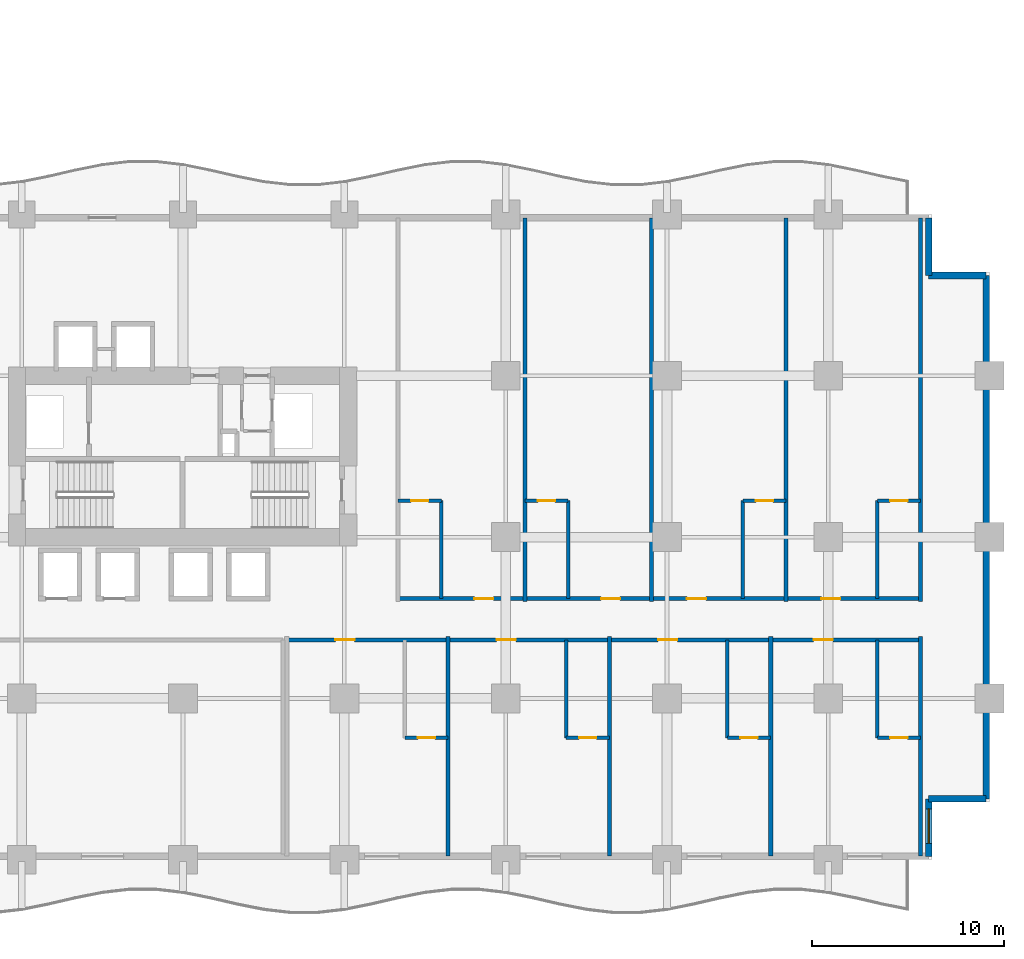
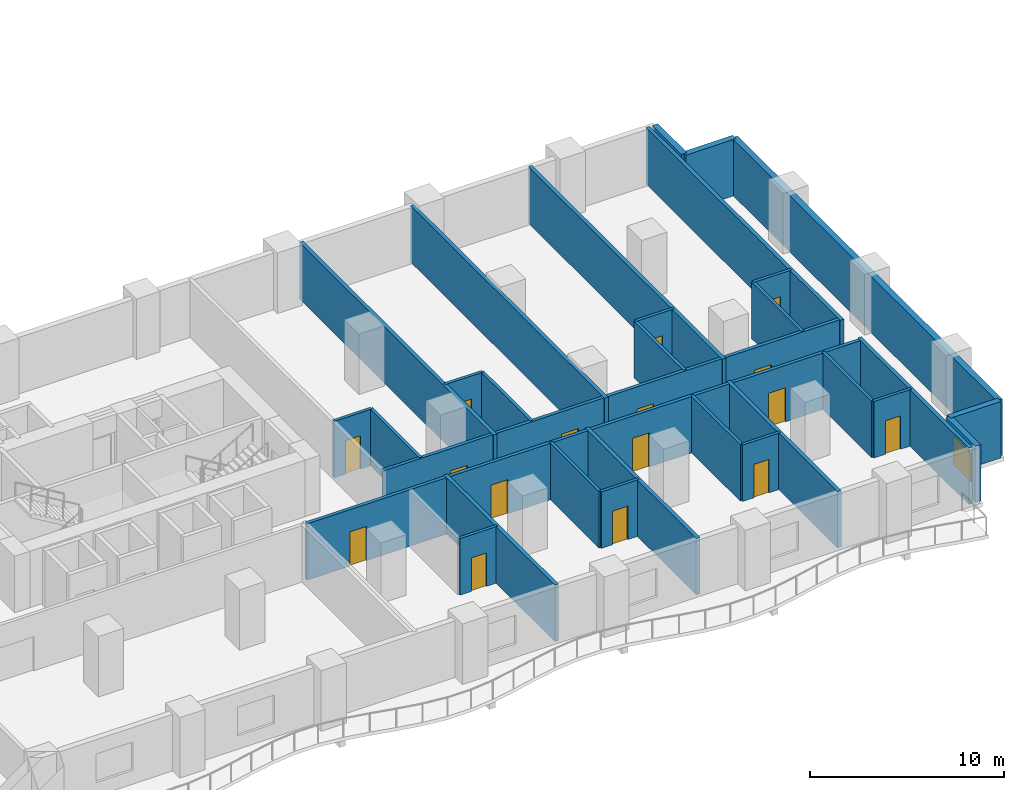
# One storey, part 10 of 18: 30 walls, 16 doors, 1 window, 17 openings.
"""IFC4 building model written with IfcOpenShell, lengths in metres."""

import ifcopenshell
import ifcopenshell.guid

model = None  # the IFC model being written
_history = None  # IfcOwnerHistory: only IFC2X3 demands one
_inside = {}  # id of a spatial element -> (the spatial element, [elements in it])
_under = {}  # id of a project, library or spatial element -> (it, [spatial elements below it])
_declared = {}  # id of a project -> (the project, [libraries it declares])
_typed = {}  # id of a type object -> (the type object, [elements of that type])
_made_of = {}  # id of a material, layer set ... -> (it, [elements and type objects made of it])


def new_model(schema):
    """Start an empty IFC model of exactly this schema.

    Asked for "IFC4X3", IfcOpenShell would pick the latest addendum, in which some entities
    have other attributes; the version numbers below select the first issue.
    IFC2X3 requires an IfcOwnerHistory on every rooted entity: one is made here for all.
    """
    global model, _history
    if schema == "IFC4X3":
        model = ifcopenshell.file(schema_version=(4, 3, 0, 0))
    else:
        model = ifcopenshell.file(schema=schema)
    _inside.clear()
    _under.clear()
    _declared.clear()
    _typed.clear()
    _made_of.clear()
    _history = None
    if model.schema == "IFC2X3":
        org = make("IfcOrganization", Name="unknown")
        user = make(
            "IfcPersonAndOrganization",
            ThePerson=make("IfcPerson", FamilyName="unknown"),
            TheOrganization=org,
        )
        app = make(
            "IfcApplication",
            ApplicationDeveloper=org,
            Version="unknown",
            ApplicationFullName="unknown",
            ApplicationIdentifier="unknown",
        )
        _history = make(
            "IfcOwnerHistory",
            OwningUser=user,
            OwningApplication=app,
            ChangeAction="ADDED",
            CreationDate=0,
        )
    return model


def make(cls, **values):
    """One entity of the class cls with the attributes given. An attribute that is None is left unset."""
    return model.create_entity(
        cls, **{name: value for name, value in values.items() if value is not None}
    )


def rooted(cls, **values):
    """An entity with a GlobalId (a new one), such as an element, a storey or a relation."""
    return make(cls, GlobalId=ifcopenshell.guid.new(), OwnerHistory=_history, **values)


def si_unit(unit_type, name, prefix=None):
    """IfcSIUnit, for example si_unit("LENGTHUNIT", "METRE", prefix="MILLI")."""
    return make("IfcSIUnit", UnitType=unit_type, Prefix=prefix, Name=name)


def assignment(units):
    """IfcUnitAssignment: the units of a project."""
    return None if units is None else make("IfcUnitAssignment", Units=units)


def point(xyz):
    """IfcCartesianPoint."""
    return None if xyz is None else make("IfcCartesianPoint", Coordinates=xyz)


def direction(xyz):
    """IfcDirection."""
    return None if xyz is None else make("IfcDirection", DirectionRatios=xyz)


def frame(location, z_axis=None, x_axis=None):
    """IfcAxis2Placement3D, a coordinate frame: its origin and axes. An axis left out is left unset."""
    return make(
        "IfcAxis2Placement3D",
        Location=point(location),
        Axis=direction(z_axis),
        RefDirection=direction(x_axis),
    )


def frame_2d(location, x_axis=None):
    """IfcAxis2Placement2D, a coordinate frame in the plane: its origin and x axis."""
    return make(
        "IfcAxis2Placement2D", Location=point(location), RefDirection=direction(x_axis)
    )


def origin():
    """The frame at (0, 0, 0) with its axes left unset."""
    return frame((0.0, 0.0, 0.0))


def place(relative_to, where):
    """IfcLocalPlacement: puts the frame where relative to a parent placement (None: the world)."""
    return make(
        "IfcLocalPlacement", PlacementRelTo=relative_to, RelativePlacement=where
    )


def context(
    kind, dimensions, precision=None, world=None, true_north=None, identifier=None
):
    """IfcGeometricRepresentationContext, for example the 3D "Model" context."""
    return make(
        "IfcGeometricRepresentationContext",
        ContextIdentifier=identifier,
        ContextType=kind,
        CoordinateSpaceDimension=dimensions,
        Precision=precision,
        WorldCoordinateSystem=world,
        TrueNorth=true_north,
    )


def subcontext(parent, identifier, kind, view, scale=None):
    """IfcGeometricRepresentationSubContext, for example "Body" below "Model"."""
    return make(
        "IfcGeometricRepresentationSubContext",
        ContextIdentifier=identifier,
        ContextType=kind,
        ParentContext=parent,
        TargetScale=scale,
        TargetView=view,
    )


def project(units=None, contexts=None):
    """IfcProject with its units and contexts."""
    return rooted(
        "IfcProject",
        Name="project",
        RepresentationContexts=contexts,
        UnitsInContext=assignment(units),
    )


def spatial(cls, under=None, at=None, **own):
    """A site, building, storey or space (cls), placed at a placement, below another one or the project."""
    s = rooted(cls, ObjectPlacement=at, **own)
    if under is not None:
        _under.setdefault(under.id(), (under, []))[1].append(s)
    return s


def profile(cls, at=None, kind="AREA", **sizes):
    """A parametric profile (cls). Its sizes go by their IFC names, for example OverallWidth=200.0."""
    return make(cls, ProfileType=kind, Position=at, **sizes)


def rectangle(**sizes):
    """IfcRectangleProfileDef."""
    return profile("IfcRectangleProfileDef", **sizes)


def extrude(swept, where, along, depth):
    """IfcExtrudedAreaSolid: the profile swept, set in the frame where, extruded along a direction by depth."""
    return make(
        "IfcExtrudedAreaSolid",
        SweptArea=swept,
        Position=where,
        ExtrudedDirection=direction(along),
        Depth=depth,
    )


def shape(context_of_items, identifier, shape_type, items):
    """IfcShapeRepresentation: the items that make up one representation, for example the "Body"."""
    return make(
        "IfcShapeRepresentation",
        ContextOfItems=context_of_items,
        RepresentationIdentifier=identifier,
        RepresentationType=shape_type,
        Items=items,
    )


def material(Name=None, Category=None):
    """IfcMaterial."""
    return make("IfcMaterial", Name=Name, Category=Category)


def layer(
    of_material, thickness, ventilated=None, Name=None, Category=None, Priority=None
):
    """IfcMaterialLayer: one layer of a wall or slab, of a material (None: an air gap)."""
    return make(
        "IfcMaterialLayer",
        Material=of_material,
        LayerThickness=thickness,
        IsVentilated=ventilated,
        Name=Name,
        Category=Category,
        Priority=Priority,
    )


def layer_set(layers, Name=None):
    """IfcMaterialLayerSet."""
    return make("IfcMaterialLayerSet", MaterialLayers=layers, LayerSetName=Name)


def made_of(thing, what):
    """Note that an element or type object is made of a material, layer set ...; save() writes the relation."""
    if what is not None:
        _made_of.setdefault(what.id(), (what, []))[1].append(thing)
    return thing


def type_object(cls, material=None, **own):
    """A type object (cls), such as IfcWallType, which elements share."""
    return made_of(rooted(cls, **own), material)


def element(
    cls,
    number,
    at=None,
    inside=None,
    cuts=None,
    type_object=None,
    material=None,
    context=None,
    identifier="Body",
    shape_type=None,
    held_by="IfcProductDefinitionShape",
    body=None,
    shapes=None,
    **own,
):
    """One element of the class cls, such as IfcWall. Its Tag is "e" and its number.

    at: its placement. inside: the storey or other place that contains it. cuts: it is an
    opening in that element (IfcRelVoidsElement). A single representation is given by context,
    identifier, shape_type and body (its items); several are given by shapes. held_by: the class
    of the entity that holds the representations. save() writes the other relations.
    """
    e = rooted(cls, Tag="e%d" % number, ObjectPlacement=at, **own)
    if body is not None:
        shapes = [shape(context, identifier, shape_type, body)]
    if shapes is not None:
        e.Representation = make(held_by, Representations=shapes)
    if inside is not None:
        _inside.setdefault(inside.id(), (inside, []))[1].append(e)
    if cuts is not None:
        rooted(
            "IfcRelVoidsElement", RelatingBuildingElement=cuts, RelatedOpeningElement=e
        )
    if type_object is not None:
        _typed.setdefault(type_object.id(), (type_object, []))[1].append(e)
    return made_of(e, material)


def fill(opening, filler):
    """IfcRelFillsElement: the door or window that sits in an opening."""
    return rooted(
        "IfcRelFillsElement",
        RelatingOpeningElement=opening,
        RelatedBuildingElement=filler,
    )


def aggregate(whole, parts):
    """IfcRelAggregates: a whole, such as a stair, and the parts it consists of."""
    return rooted("IfcRelAggregates", RelatingObject=whole, RelatedObjects=parts)


def save(model, path):
    """Write the relations noted so far, then the file.

    IfcRelAggregates (storeys below a building ...), IfcRelContainedInSpatialStructure (elements
    in a storey), IfcRelDefinesByType, IfcRelAssociatesMaterial and IfcRelDeclares: one each for
    every whole, place, type object, material and project.
    """
    for whole, parts in _under.values():
        aggregate(whole, parts)
    for where, things in _inside.values():
        rooted(
            "IfcRelContainedInSpatialStructure",
            RelatedElements=things,
            RelatingStructure=where,
        )
    for kind, things in _typed.values():
        rooted("IfcRelDefinesByType", RelatedObjects=things, RelatingType=kind)
    for what, things in _made_of.values():
        rooted("IfcRelAssociatesMaterial", RelatedObjects=things, RelatingMaterial=what)
    for by, libraries in _declared.values():
        rooted("IfcRelDeclares", RelatingContext=by, RelatedDefinitions=libraries)
    model.write(path)


model = new_model("IFC4")

# Units and contexts
model_context = context("Model", 3, precision=1e-05, world=origin(), true_north=direction((0.0, 1.0)))
body_context = subcontext(model_context, "Body", "Model", "MODEL_VIEW")
ifc_project = project(units=[si_unit("LENGTHUNIT", "METRE"), si_unit("AREAUNIT", "SQUARE_METRE"), si_unit("VOLUMEUNIT", "CUBIC_METRE"), si_unit("PLANEANGLEUNIT", "RADIAN"), si_unit("MASSUNIT", "GRAM", prefix="KILO")], contexts=[model_context])

# Site, building, storey
site_placement = place(None, origin())
site = spatial("IfcSite", under=ifc_project, at=site_placement, CompositionType="ELEMENT")
building_placement = place(site_placement, origin())
building = spatial("IfcBuilding", under=site, at=building_placement, Name="Koriwani Terraces Tower", CompositionType="ELEMENT")
storey_placement = place(building_placement, frame((0.0, 0.0, 81.39990234375)))
storey = spatial("IfcBuildingStorey", under=building, at=storey_placement, Name="L19", CompositionType="ELEMENT", Elevation=81.39990234375)

# Wall, openings, doors
ifc_material_1 = material(Name="Autoclaved Cellular Concrete Blockwork", Category="masonry")
ifc_layer_1 = layer(ifc_material_1, 0.199951171875, Name="Autoclaved Cellular Concrete Blockwork")
ifc_layer_set_1 = layer_set([ifc_layer_1], Name="Autoclaved Cellular Concrete Blockwork")
wall_type_1 = type_object("IfcWallType", Name="WALL_CORRIDOR_200", PredefinedType="PARTITIONING", material=ifc_layer_set_1)
wall_1_placement = place(storey_placement, frame((55.800048828125, 11.449951171875, 0.0), z_axis=(0.0, 0.0, 1.0), x_axis=(1.0, 0.0, 0.0)))
wall_1 = element("IfcWall", 1, at=wall_1_placement, inside=storey, type_object=wall_type_1, Name="L19 Interior Wall WCOR-L19-SW-0", PredefinedType="PARTITIONING", context=body_context, shape_type="SweptSolid", body=[
    extrude(rectangle(XDim=33.0, YDim=0.199951171875, at=frame_2d((16.5, 0.0))), origin(), (0.0, 0.0, 1.0), 3.550048828125),
])
opening_1_placement = place(wall_1_placement, frame((2.534912109375, 0.0, 0.0)))
opening_1 = element("IfcOpeningElement", 2, at=opening_1_placement, cuts=wall_1, Name="Opening D-05", PredefinedType="OPENING", context=body_context, shape_type="SweptSolid", body=[
    extrude(rectangle(XDim=1.0, YDim=2.14990234375, at=frame_2d((0.5, 1.074951171875))), frame((0.0, 0.10986328125, 0.0), z_axis=(0.0, -1.0, 0.0), x_axis=(1.0, 0.0, 0.0)), (0.0, 0.0, 1.0), 0.219970703125),
])
opening_2_placement = place(wall_1_placement, frame((10.93505859375, 0.0, 0.0)))
opening_2 = element("IfcOpeningElement", 3, at=opening_2_placement, cuts=wall_1, Name="Opening D-05", PredefinedType="OPENING", context=body_context, shape_type="SweptSolid", body=[
    extrude(rectangle(XDim=1.0, YDim=2.14990234375, at=frame_2d((0.5, 1.074951171875))), frame((0.0, 0.10986328125, 0.0), z_axis=(0.0, -1.0, 0.0), x_axis=(1.0, 0.0, 0.0)), (0.0, 0.0, 1.0), 0.219970703125),
])
opening_3_placement = place(wall_1_placement, frame((19.3349609375, 0.0, 0.0)))
opening_3 = element("IfcOpeningElement", 4, at=opening_3_placement, cuts=wall_1, Name="Opening D-05", PredefinedType="OPENING", context=body_context, shape_type="SweptSolid", body=[
    extrude(rectangle(XDim=1.0, YDim=2.14990234375, at=frame_2d((0.5, 1.074951171875))), frame((0.0, 0.10986328125, 0.0), z_axis=(0.0, -1.0, 0.0), x_axis=(1.0, 0.0, 0.0)), (0.0, 0.0, 1.0), 0.219970703125),
])
opening_4_placement = place(wall_1_placement, frame((27.43505859375, 0.0, 0.0)))
opening_4 = element("IfcOpeningElement", 5, at=opening_4_placement, cuts=wall_1, Name="Opening D-05", PredefinedType="OPENING", context=body_context, shape_type="SweptSolid", body=[
    extrude(rectangle(XDim=1.0, YDim=2.14990234375, at=frame_2d((0.5, 1.074951171875))), frame((0.0, 0.10986328125, 0.0), z_axis=(0.0, -1.0, 0.0), x_axis=(1.0, 0.0, 0.0)), (0.0, 0.0, 1.0), 0.219970703125),
])
ifc_material_2 = material(Name="Architectural Oak Fire Door", Category="wood")
door_type_1 = type_object("IfcDoorType", Name="DOOR_SUITE_ENTRY_1000X2150", OperationType="NOTDEFINED", PredefinedType="DOOR", material=ifc_material_2)
door_1_placement = place(opening_1_placement, origin())
door_1 = element("IfcDoor", 6, at=door_1_placement, inside=storey, type_object=door_type_1, Name="Luxury Hotel Suite 19SW1 Entrance Door", OperationType="SINGLE_SWING_LEFT", OverallHeight=2.14990234375, OverallWidth=1.0, PredefinedType="DOOR", context=body_context, shape_type="SweptSolid", body=[
    extrude(rectangle(XDim=1.0, YDim=2.14990234375, at=frame_2d((0.5, 1.074951171875))), frame((0.0, 0.02490234375, 0.0), z_axis=(0.0, -1.0, 0.0), x_axis=(1.0, 0.0, 0.0)), (0.0, 0.0, 1.0), 0.050048828125),
])
fill(opening_1, door_1)
door_2_placement = place(opening_2_placement, origin())
door_2 = element("IfcDoor", 7, at=door_2_placement, inside=storey, type_object=door_type_1, Name="Luxury Hotel Suite 19SW2 Entrance Door", OperationType="SINGLE_SWING_LEFT", OverallHeight=2.14990234375, OverallWidth=1.0, PredefinedType="DOOR", context=body_context, shape_type="SweptSolid", body=[
    extrude(rectangle(XDim=1.0, YDim=2.14990234375, at=frame_2d((0.5, 1.074951171875))), frame((0.0, 0.02490234375, 0.0), z_axis=(0.0, -1.0, 0.0), x_axis=(1.0, 0.0, 0.0)), (0.0, 0.0, 1.0), 0.050048828125),
])
fill(opening_2, door_2)
door_3_placement = place(opening_3_placement, origin())
door_3 = element("IfcDoor", 8, at=door_3_placement, inside=storey, type_object=door_type_1, Name="Luxury Hotel Suite 19SW3 Entrance Door", OperationType="SINGLE_SWING_LEFT", OverallHeight=2.14990234375, OverallWidth=1.0, PredefinedType="DOOR", context=body_context, shape_type="SweptSolid", body=[
    extrude(rectangle(XDim=1.0, YDim=2.14990234375, at=frame_2d((0.5, 1.074951171875))), frame((0.0, 0.02490234375, 0.0), z_axis=(0.0, -1.0, 0.0), x_axis=(1.0, 0.0, 0.0)), (0.0, 0.0, 1.0), 0.050048828125),
])
fill(opening_3, door_3)
door_4_placement = place(opening_4_placement, origin())
door_4 = element("IfcDoor", 9, at=door_4_placement, inside=storey, type_object=door_type_1, Name="Luxury Hotel Suite 19SW4 Entrance Door", OperationType="SINGLE_SWING_LEFT", OverallHeight=2.14990234375, OverallWidth=1.0, PredefinedType="DOOR", context=body_context, shape_type="SweptSolid", body=[
    extrude(rectangle(XDim=1.0, YDim=2.14990234375, at=frame_2d((0.5, 1.074951171875))), frame((0.0, 0.02490234375, 0.0), z_axis=(0.0, -1.0, 0.0), x_axis=(1.0, 0.0, 0.0)), (0.0, 0.0, 1.0), 0.050048828125),
])
fill(opening_4, door_4)

wall_2_placement = place(storey_placement, frame((61.60009765625, 13.60009765625, 0.0), z_axis=(0.0, 0.0, 1.0), x_axis=(1.0, 0.0, 0.0)))
wall_2 = element("IfcWall", 10, at=wall_2_placement, inside=storey, type_object=wall_type_1, Name="L19 Interior Wall WCOR-L19-SE-0", PredefinedType="PARTITIONING", context=body_context, shape_type="SweptSolid", body=[
    extrude(rectangle(XDim=27.199951171875, YDim=0.199951171875, at=frame_2d((13.60009765625, 0.0))), origin(), (0.0, 0.0, 1.0), 3.550048828125),
])
opening_5_placement = place(wall_2_placement, frame((3.965087890625, 0.0, 0.0)))
opening_5 = element("IfcOpeningElement", 11, at=opening_5_placement, cuts=wall_2, Name="Opening D-05", PredefinedType="OPENING", context=body_context, shape_type="SweptSolid", body=[
    extrude(rectangle(XDim=1.0, YDim=2.14990234375, at=frame_2d((0.5, 1.074951171875))), frame((0.0, 0.10986328125, 0.0), z_axis=(0.0, -1.0, 0.0), x_axis=(1.0, 0.0, 0.0)), (0.0, 0.0, 1.0), 0.219970703125),
])
opening_6_placement = place(wall_2_placement, frame((10.56494140625, 0.0, 0.0)))
opening_6 = element("IfcOpeningElement", 12, at=opening_6_placement, cuts=wall_2, Name="Opening D-05", PredefinedType="OPENING", context=body_context, shape_type="SweptSolid", body=[
    extrude(rectangle(XDim=1.0, YDim=2.14990234375, at=frame_2d((0.5, 1.074951171875))), frame((0.0, 0.10986328125, 0.0), z_axis=(0.0, -1.0, 0.0), x_axis=(1.0, 0.0, 0.0)), (0.0, 0.0, 1.0), 0.219970703125),
])
opening_7_placement = place(wall_2_placement, frame((15.034912109375, 0.0, 0.0)))
opening_7 = element("IfcOpeningElement", 13, at=opening_7_placement, cuts=wall_2, Name="Opening D-05", PredefinedType="OPENING", context=body_context, shape_type="SweptSolid", body=[
    extrude(rectangle(XDim=1.0, YDim=2.14990234375, at=frame_2d((0.5, 1.074951171875))), frame((0.0, 0.10986328125, 0.0), z_axis=(0.0, -1.0, 0.0), x_axis=(1.0, 0.0, 0.0)), (0.0, 0.0, 1.0), 0.219970703125),
])
opening_8_placement = place(wall_2_placement, frame((22.034912109375, 0.0, 0.0)))
opening_8 = element("IfcOpeningElement", 14, at=opening_8_placement, cuts=wall_2, Name="Opening D-05", PredefinedType="OPENING", context=body_context, shape_type="SweptSolid", body=[
    extrude(rectangle(XDim=1.0, YDim=2.14990234375, at=frame_2d((0.5, 1.074951171875))), frame((0.0, 0.10986328125, 0.0), z_axis=(0.0, -1.0, 0.0), x_axis=(1.0, 0.0, 0.0)), (0.0, 0.0, 1.0), 0.219970703125),
])
door_5_placement = place(opening_5_placement, origin())
door_5 = element("IfcDoor", 15, at=door_5_placement, inside=storey, type_object=door_type_1, Name="Luxury Hotel Suite 19SE1 Entrance Door", OperationType="SINGLE_SWING_LEFT", OverallHeight=2.14990234375, OverallWidth=1.0, PredefinedType="DOOR", context=body_context, shape_type="SweptSolid", body=[
    extrude(rectangle(XDim=1.0, YDim=2.14990234375, at=frame_2d((0.5, 1.074951171875))), frame((0.0, 0.02490234375, 0.0), z_axis=(0.0, -1.0, 0.0), x_axis=(1.0, 0.0, 0.0)), (0.0, 0.0, 1.0), 0.050048828125),
])
fill(opening_5, door_5)
door_6_placement = place(opening_6_placement, origin())
door_6 = element("IfcDoor", 16, at=door_6_placement, inside=storey, type_object=door_type_1, Name="Luxury Hotel Suite 19SE2 Entrance Door", OperationType="SINGLE_SWING_LEFT", OverallHeight=2.14990234375, OverallWidth=1.0, PredefinedType="DOOR", context=body_context, shape_type="SweptSolid", body=[
    extrude(rectangle(XDim=1.0, YDim=2.14990234375, at=frame_2d((0.5, 1.074951171875))), frame((0.0, 0.02490234375, 0.0), z_axis=(0.0, -1.0, 0.0), x_axis=(1.0, 0.0, 0.0)), (0.0, 0.0, 1.0), 0.050048828125),
])
fill(opening_6, door_6)
door_7_placement = place(opening_7_placement, origin())
door_7 = element("IfcDoor", 17, at=door_7_placement, inside=storey, type_object=door_type_1, Name="Luxury Hotel Suite 19SE3 Entrance Door", OperationType="SINGLE_SWING_LEFT", OverallHeight=2.14990234375, OverallWidth=1.0, PredefinedType="DOOR", context=body_context, shape_type="SweptSolid", body=[
    extrude(rectangle(XDim=1.0, YDim=2.14990234375, at=frame_2d((0.5, 1.074951171875))), frame((0.0, 0.02490234375, 0.0), z_axis=(0.0, -1.0, 0.0), x_axis=(1.0, 0.0, 0.0)), (0.0, 0.0, 1.0), 0.050048828125),
])
fill(opening_7, door_7)
door_8_placement = place(opening_8_placement, origin())
door_8 = element("IfcDoor", 18, at=door_8_placement, inside=storey, type_object=door_type_1, Name="Luxury Hotel Suite 19SE4 Entrance Door", OperationType="SINGLE_SWING_LEFT", OverallHeight=2.14990234375, OverallWidth=1.0, PredefinedType="DOOR", context=body_context, shape_type="SweptSolid", body=[
    extrude(rectangle(XDim=1.0, YDim=2.14990234375, at=frame_2d((0.5, 1.074951171875))), frame((0.0, 0.02490234375, 0.0), z_axis=(0.0, -1.0, 0.0), x_axis=(1.0, 0.0, 0.0)), (0.0, 0.0, 1.0), 0.050048828125),
])
fill(opening_8, door_8)

# Walls
ifc_layer_2 = layer(ifc_material_1, 0.219970703125, Name="Autoclaved Cellular Concrete Blockwork")
ifc_layer_set_2 = layer_set([ifc_layer_2], Name="Autoclaved Cellular Concrete Blockwork")
wall_type_2 = type_object("IfcWallType", Name="WALL_DEMISING_220", PredefinedType="PARTITIONING", material=ifc_layer_set_2)
for number, where, z_axis, x_axis, name in (
    (19, (64.199951171875, 0.199951171875, 0.0), (0.0, 0.0, 1.0), (0.0, 1.0, 0.0), "L19 Interior Wall WDEM-L19-SW-1"),
    (20, (72.60009765625, 0.199951171875, 0.0), (0.0, 0.0, 1.0), (0.0, 1.0, 0.0), "L19 Interior Wall WDEM-L19-SW-2"),
    (21, (81.0, 0.199951171875, 0.0), (0.0, 0.0, 1.0), (0.0, 1.0, 0.0), "L19 Interior Wall WDEM-L19-SW-3"),
    (22, (88.800048828125, 0.199951171875, 0.0), (0.0, 0.0, 1.0), (0.0, 1.0, 0.0), "L19 Interior Wall WDEME-L19-SW"),
):
    element("IfcWall", number, at=place(storey_placement, frame(where, z_axis=z_axis, x_axis=x_axis)), inside=storey, type_object=wall_type_2, Name=name, PredefinedType="PARTITIONING", context=body_context, shape_type="SweptSolid", body=[
        extrude(rectangle(XDim=11.429931640625, YDim=0.219970703125, at=frame_2d((5.71484375, 0.0))), origin(), (0.0, 0.0, 1.0), 3.550048828125),
    ])
for number, where, z_axis, x_axis, name in (
    (23, (68.199951171875, 13.449951171875, 0.0), (0.0, 0.0, 1.0), (0.0, 1.0, 0.0), "L19 Interior Wall WDEM-L19-SE-1"),
    (24, (74.800048828125, 13.449951171875, 0.0), (0.0, 0.0, 1.0), (0.0, 1.0, 0.0), "L19 Interior Wall WDEM-L19-SE-2"),
    (25, (81.800048828125, 13.449951171875, 0.0), (0.0, 0.0, 1.0), (0.0, 1.0, 0.0), "L19 Interior Wall WDEM-L19-SE-3"),
    (26, (88.800048828125, 13.449951171875, 0.0), (0.0, 0.0, 1.0), (0.0, 1.0, 0.0), "L19 Interior Wall WDEME-L19-SE"),
):
    element("IfcWall", number, at=place(storey_placement, frame(where, z_axis=z_axis, x_axis=x_axis)), inside=storey, type_object=wall_type_2, Name=name, PredefinedType="PARTITIONING", context=body_context, shape_type="SweptSolid", body=[
        extrude(rectangle(XDim=19.97998046875, YDim=0.219970703125, at=frame_2d((9.989990234375, 0.0))), origin(), (0.0, 0.0, 1.0), 3.550048828125),
    ])
ifc_material_3 = material(Name="Concrete C50/60", Category="concrete")
ifc_layer_3 = layer(ifc_material_3, 0.35009765625, Name="Concrete C50/60")
ifc_layer_set_3 = layer_set([ifc_layer_3], Name="Concrete C50/60")
wall_type_3 = type_object("IfcWallType", Name="WALL_EXT_BRUTALIST_350", PredefinedType="STANDARD", material=ifc_layer_set_3)
for number, where, z_axis, x_axis, name in (
    (27, (89.22509765625, 33.425048828125, 0.0), (0.0, 0.0, 1.0), (0.0, -1.0, 0.0), "L19 Fair-Faced Brutalist Exterior Wall (N10)"),
    (28, (89.22509765625, 30.425048828125, 0.0), (0.0, 0.0, 1.0), (1.0, 0.0, 0.0), "L19 Fair-Faced Brutalist Exterior Wall (N11)"),
):
    element("IfcWall", number, at=place(storey_placement, frame(where, z_axis=z_axis, x_axis=x_axis)), inside=storey, type_object=wall_type_3, Name=name, PredefinedType="STANDARD", context=body_context, shape_type="SweptSolid", body=[
        extrude(rectangle(XDim=3.0, YDim=0.35009765625, at=frame_2d((1.5, 0.0))), origin(), (0.0, 0.0, 1.0), 3.550048828125),
    ])
wall_3_placement = place(storey_placement, frame((92.22509765625, 30.425048828125, 0.0), z_axis=(0.0, 0.0, 1.0), x_axis=(0.0, -1.0, 0.0)))
element("IfcWall", 29, at=wall_3_placement, inside=storey, type_object=wall_type_3, Name="L19 Fair-Faced Brutalist Exterior Wall (E_TIP)", PredefinedType="STANDARD", context=body_context, shape_type="SweptSolid", body=[
    extrude(rectangle(XDim=27.25, YDim=0.35009765625, at=frame_2d((13.625, 0.0))), origin(), (0.0, 0.0, 1.0), 3.550048828125),
])
wall_4_placement = place(storey_placement, frame((92.22509765625, 3.175048828125, 0.0), z_axis=(0.0, 0.0, 1.0), x_axis=(-1.0, 0.0, 0.0)))
element("IfcWall", 30, at=wall_4_placement, inside=storey, type_object=wall_type_3, Name="L19 Fair-Faced Brutalist Exterior Wall (N13)", PredefinedType="STANDARD", context=body_context, shape_type="SweptSolid", body=[
    extrude(rectangle(XDim=3.0, YDim=0.35009765625, at=frame_2d((1.5, 0.0))), origin(), (0.0, 0.0, 1.0), 3.550048828125),
])

# Wall, opening, window
wall_5_placement = place(storey_placement, frame((89.22509765625, 3.175048828125, 0.0), z_axis=(0.0, 0.0, 1.0), x_axis=(0.0, -1.0, 0.0)))
wall_5 = element("IfcWall", 31, at=wall_5_placement, inside=storey, type_object=wall_type_3, Name="L19 Fair-Faced Brutalist Exterior Wall (N14)", PredefinedType="STANDARD", context=body_context, shape_type="SweptSolid", body=[
    extrude(rectangle(XDim=3.0, YDim=0.35009765625, at=frame_2d((1.5, 0.0))), origin(), (0.0, 0.0, 1.0), 3.550048828125),
])
opening_9_placement = place(wall_5_placement, frame((0.5224609375, 0.0, 0.85009765625)))
opening_9 = element("IfcOpeningElement", 32, at=opening_9_placement, cuts=wall_5, Name="Opening W-04", PredefinedType="OPENING", context=body_context, shape_type="SweptSolid", body=[
    extrude(rectangle(XDim=1.800048828125, YDim=1.800048828125, at=frame_2d((0.89990234375, 0.89990234375))), frame((0.0, 0.18505859375, 0.0), z_axis=(0.0, -1.0, 0.0), x_axis=(1.0, 0.0, 0.0)), (0.0, 0.0, 1.0), 0.3701171875),
])
ifc_material_4 = material(Name="Tempered Laminated Low-E Glass", Category="glass")
window_type = type_object("IfcWindowType", Name="WIN_RES_BED_1800X1800", PartitioningType="DOUBLE_PANEL_VERTICAL", PredefinedType="WINDOW", material=ifc_material_4)
window_placement = place(opening_9_placement, origin())
window = element("IfcWindow", 33, at=window_placement, inside=storey, type_object=window_type, Name="L19 Exterior Window (N14-R47)", OverallHeight=1.800048828125, OverallWidth=1.800048828125, PartitioningType="SINGLE_PANEL", PredefinedType="WINDOW", context=body_context, shape_type="SweptSolid", body=[
    extrude(rectangle(XDim=1.800048828125, YDim=1.800048828125, at=frame_2d((0.89990234375, 0.89990234375))), frame((0.0, 0.030029296875, 0.0), z_axis=(0.0, -1.0, 0.0), x_axis=(1.0, 0.0, 0.0)), (0.0, 0.0, 1.0), 0.06005859375),
])
fill(opening_9, window)

# Wall, opening, door
ifc_material_5 = material(Name="Fire-Rated Acoustic Gypsum Partition", Category="masonry")
ifc_layer_4 = layer(ifc_material_5, 0.179931640625, Name="Fire-Rated Acoustic Gypsum Partition")
ifc_layer_set_4 = layer_set([ifc_layer_4], Name="Fire-Rated Acoustic Gypsum Partition")
wall_type_4 = type_object("IfcWallType", Name="WALL_PLUMBING_180", PredefinedType="PLUMBINGWALL", material=ifc_layer_set_4)
wall_6_placement = place(storey_placement, frame((61.949951171875, 6.35009765625, 0.0), z_axis=(0.0, 0.0, 1.0), x_axis=(1.0, 0.0, 0.0)))
wall_6 = element("IfcWall", 34, at=wall_6_placement, inside=storey, type_object=wall_type_4, Name="L19 Interior Wall WBTH1-L19-SW-0", PredefinedType="PLUMBINGWALL", context=body_context, shape_type="SweptSolid", body=[
    extrude(rectangle(XDim=2.25, YDim=0.179931640625, at=frame_2d((1.125, 0.0))), origin(), (0.0, 0.0, 1.0), 3.550048828125),
])
opening_10_placement = place(wall_6_placement, frame((0.675048828125, 0.0, 0.0)))
opening_10 = element("IfcOpeningElement", 35, at=opening_10_placement, cuts=wall_6, Name="Opening D-07", PredefinedType="OPENING", context=body_context, shape_type="SweptSolid", body=[
    extrude(rectangle(XDim=0.89990234375, YDim=2.10009765625, at=frame_2d((0.449951171875, 1.050048828125))), frame((0.0, 0.10009765625, 0.0), z_axis=(0.0, -1.0, 0.0), x_axis=(1.0, 0.0, 0.0)), (0.0, 0.0, 1.0), 0.199951171875),
])
door_type_2 = type_object("IfcDoorType", Name="DOOR_BATH_INT_900X2100", OperationType="NOTDEFINED", PredefinedType="DOOR", material=ifc_material_2)
door_9_placement = place(opening_10_placement, origin())
door_9 = element("IfcDoor", 36, at=door_9_placement, inside=storey, type_object=door_type_2, Name="En-Suite Bathroom 19SW1 Door", OperationType="SINGLE_SWING_RIGHT", OverallHeight=2.10009765625, OverallWidth=0.89990234375, PredefinedType="DOOR", context=body_context, shape_type="SweptSolid", body=[
    extrude(rectangle(XDim=0.89990234375, YDim=2.10009765625, at=frame_2d((0.449951171875, 1.050048828125))), frame((0.0, 0.02490234375, 0.0), z_axis=(0.0, -1.0, 0.0), x_axis=(1.0, 0.0, 0.0)), (0.0, 0.0, 1.0), 0.050048828125),
])
fill(opening_10, door_9)

wall_7_placement = place(storey_placement, frame((70.35009765625, 6.35009765625, 0.0), z_axis=(0.0, 0.0, 1.0), x_axis=(1.0, 0.0, 0.0)))
wall_7 = element("IfcWall", 37, at=wall_7_placement, inside=storey, type_object=wall_type_4, Name="L19 Interior Wall WBTH1-L19-SW-1", PredefinedType="PLUMBINGWALL", context=body_context, shape_type="SweptSolid", body=[
    extrude(rectangle(XDim=2.25, YDim=0.179931640625, at=frame_2d((1.125, 0.0))), origin(), (0.0, 0.0, 1.0), 3.550048828125),
])
opening_11_placement = place(wall_7_placement, frame((0.675048828125, 0.0, 0.0)))
opening_11 = element("IfcOpeningElement", 38, at=opening_11_placement, cuts=wall_7, Name="Opening D-07", PredefinedType="OPENING", context=body_context, shape_type="SweptSolid", body=[
    extrude(rectangle(XDim=0.89990234375, YDim=2.10009765625, at=frame_2d((0.449951171875, 1.050048828125))), frame((0.0, 0.10009765625, 0.0), z_axis=(0.0, -1.0, 0.0), x_axis=(1.0, 0.0, 0.0)), (0.0, 0.0, 1.0), 0.199951171875),
])
door_10_placement = place(opening_11_placement, origin())
door_10 = element("IfcDoor", 39, at=door_10_placement, inside=storey, type_object=door_type_2, Name="En-Suite Bathroom 19SW2 Door", OperationType="SINGLE_SWING_RIGHT", OverallHeight=2.10009765625, OverallWidth=0.89990234375, PredefinedType="DOOR", context=body_context, shape_type="SweptSolid", body=[
    extrude(rectangle(XDim=0.89990234375, YDim=2.10009765625, at=frame_2d((0.449951171875, 1.050048828125))), frame((0.0, 0.02490234375, 0.0), z_axis=(0.0, -1.0, 0.0), x_axis=(1.0, 0.0, 0.0)), (0.0, 0.0, 1.0), 0.050048828125),
])
fill(opening_11, door_10)

# Wall
wall_8_placement = place(storey_placement, frame((70.35009765625, 6.35009765625, 0.0), z_axis=(0.0, 0.0, 1.0), x_axis=(0.0, 1.0, 0.0)))
element("IfcWall", 40, at=wall_8_placement, inside=storey, type_object=wall_type_4, Name="L19 Interior Wall WBTH2-L19-SW-1", PredefinedType="PLUMBINGWALL", context=body_context, shape_type="SweptSolid", body=[
    extrude(rectangle(XDim=5.099853515625, YDim=0.179931640625, at=frame_2d((2.5498046875, 0.0))), origin(), (0.0, 0.0, 1.0), 3.550048828125),
])

# Wall, opening, door
wall_9_placement = place(storey_placement, frame((78.75, 6.35009765625, 0.0), z_axis=(0.0, 0.0, 1.0), x_axis=(1.0, 0.0, 0.0)))
wall_9 = element("IfcWall", 41, at=wall_9_placement, inside=storey, type_object=wall_type_4, Name="L19 Interior Wall WBTH1-L19-SW-2", PredefinedType="PLUMBINGWALL", context=body_context, shape_type="SweptSolid", body=[
    extrude(rectangle(XDim=2.25, YDim=0.179931640625, at=frame_2d((1.125, 0.0))), origin(), (0.0, 0.0, 1.0), 3.550048828125),
])
opening_12_placement = place(wall_9_placement, frame((0.675048828125, 0.0, 0.0)))
opening_12 = element("IfcOpeningElement", 42, at=opening_12_placement, cuts=wall_9, Name="Opening D-07", PredefinedType="OPENING", context=body_context, shape_type="SweptSolid", body=[
    extrude(rectangle(XDim=0.89990234375, YDim=2.10009765625, at=frame_2d((0.449951171875, 1.050048828125))), frame((0.0, 0.10009765625, 0.0), z_axis=(0.0, -1.0, 0.0), x_axis=(1.0, 0.0, 0.0)), (0.0, 0.0, 1.0), 0.199951171875),
])
door_11_placement = place(opening_12_placement, origin())
door_11 = element("IfcDoor", 43, at=door_11_placement, inside=storey, type_object=door_type_2, Name="En-Suite Bathroom 19SW3 Door", OperationType="SINGLE_SWING_RIGHT", OverallHeight=2.10009765625, OverallWidth=0.89990234375, PredefinedType="DOOR", context=body_context, shape_type="SweptSolid", body=[
    extrude(rectangle(XDim=0.89990234375, YDim=2.10009765625, at=frame_2d((0.449951171875, 1.050048828125))), frame((0.0, 0.02490234375, 0.0), z_axis=(0.0, -1.0, 0.0), x_axis=(1.0, 0.0, 0.0)), (0.0, 0.0, 1.0), 0.050048828125),
])
fill(opening_12, door_11)

# Wall
wall_10_placement = place(storey_placement, frame((78.75, 6.35009765625, 0.0), z_axis=(0.0, 0.0, 1.0), x_axis=(0.0, 1.0, 0.0)))
element("IfcWall", 44, at=wall_10_placement, inside=storey, type_object=wall_type_4, Name="L19 Interior Wall WBTH2-L19-SW-2", PredefinedType="PLUMBINGWALL", context=body_context, shape_type="SweptSolid", body=[
    extrude(rectangle(XDim=5.099853515625, YDim=0.179931640625, at=frame_2d((2.5498046875, 0.0))), origin(), (0.0, 0.0, 1.0), 3.550048828125),
])

# Wall, opening, door
wall_11_placement = place(storey_placement, frame((86.550048828125, 6.35009765625, 0.0), z_axis=(0.0, 0.0, 1.0), x_axis=(1.0, 0.0, 0.0)))
wall_11 = element("IfcWall", 45, at=wall_11_placement, inside=storey, type_object=wall_type_4, Name="L19 Interior Wall WBTH1-L19-SW-3", PredefinedType="PLUMBINGWALL", context=body_context, shape_type="SweptSolid", body=[
    extrude(rectangle(XDim=2.25, YDim=0.179931640625, at=frame_2d((1.125, 0.0))), origin(), (0.0, 0.0, 1.0), 3.550048828125),
])
opening_13_placement = place(wall_11_placement, frame((0.675048828125, 0.0, 0.0)))
opening_13 = element("IfcOpeningElement", 46, at=opening_13_placement, cuts=wall_11, Name="Opening D-07", PredefinedType="OPENING", context=body_context, shape_type="SweptSolid", body=[
    extrude(rectangle(XDim=0.89990234375, YDim=2.10009765625, at=frame_2d((0.449951171875, 1.050048828125))), frame((0.0, 0.10009765625, 0.0), z_axis=(0.0, -1.0, 0.0), x_axis=(1.0, 0.0, 0.0)), (0.0, 0.0, 1.0), 0.199951171875),
])
door_12_placement = place(opening_13_placement, origin())
door_12 = element("IfcDoor", 47, at=door_12_placement, inside=storey, type_object=door_type_2, Name="En-Suite Bathroom 19SW4 Door", OperationType="SINGLE_SWING_RIGHT", OverallHeight=2.10009765625, OverallWidth=0.89990234375, PredefinedType="DOOR", context=body_context, shape_type="SweptSolid", body=[
    extrude(rectangle(XDim=0.89990234375, YDim=2.10009765625, at=frame_2d((0.449951171875, 1.050048828125))), frame((0.0, 0.02490234375, 0.0), z_axis=(0.0, -1.0, 0.0), x_axis=(1.0, 0.0, 0.0)), (0.0, 0.0, 1.0), 0.050048828125),
])
fill(opening_13, door_12)

# Wall
wall_12_placement = place(storey_placement, frame((86.550048828125, 6.35009765625, 0.0), z_axis=(0.0, 0.0, 1.0), x_axis=(0.0, 1.0, 0.0)))
element("IfcWall", 48, at=wall_12_placement, inside=storey, type_object=wall_type_4, Name="L19 Interior Wall WBTH2-L19-SW-3", PredefinedType="PLUMBINGWALL", context=body_context, shape_type="SweptSolid", body=[
    extrude(rectangle(XDim=5.099853515625, YDim=0.179931640625, at=frame_2d((2.5498046875, 0.0))), origin(), (0.0, 0.0, 1.0), 3.550048828125),
])

# Wall, opening, door
wall_13_placement = place(storey_placement, frame((61.60009765625, 18.699951171875, 0.0), z_axis=(0.0, 0.0, 1.0), x_axis=(1.0, 0.0, 0.0)))
wall_13 = element("IfcWall", 49, at=wall_13_placement, inside=storey, type_object=wall_type_4, Name="L19 Interior Wall WBTH1-L19-SE-0", PredefinedType="PLUMBINGWALL", context=body_context, shape_type="SweptSolid", body=[
    extrude(rectangle(XDim=2.25, YDim=0.179931640625, at=frame_2d((1.125, 0.0))), origin(), (0.0, 0.0, 1.0), 3.550048828125),
])
opening_14_placement = place(wall_13_placement, frame((0.675048828125, 0.0, 0.0)))
opening_14 = element("IfcOpeningElement", 50, at=opening_14_placement, cuts=wall_13, Name="Opening D-07", PredefinedType="OPENING", context=body_context, shape_type="SweptSolid", body=[
    extrude(rectangle(XDim=0.89990234375, YDim=2.10009765625, at=frame_2d((0.449951171875, 1.050048828125))), frame((0.0, 0.10009765625, 0.0), z_axis=(0.0, -1.0, 0.0), x_axis=(1.0, 0.0, 0.0)), (0.0, 0.0, 1.0), 0.199951171875),
])
door_13_placement = place(opening_14_placement, origin())
door_13 = element("IfcDoor", 51, at=door_13_placement, inside=storey, type_object=door_type_2, Name="En-Suite Bathroom 19SE1 Door", OperationType="SINGLE_SWING_RIGHT", OverallHeight=2.10009765625, OverallWidth=0.89990234375, PredefinedType="DOOR", context=body_context, shape_type="SweptSolid", body=[
    extrude(rectangle(XDim=0.89990234375, YDim=2.10009765625, at=frame_2d((0.449951171875, 1.050048828125))), frame((0.0, 0.02490234375, 0.0), z_axis=(0.0, -1.0, 0.0), x_axis=(1.0, 0.0, 0.0)), (0.0, 0.0, 1.0), 0.050048828125),
])
fill(opening_14, door_13)

# Wall
wall_14_placement = place(storey_placement, frame((63.85009765625, 13.60009765625, 0.0), z_axis=(0.0, 0.0, 1.0), x_axis=(0.0, 1.0, 0.0)))
element("IfcWall", 52, at=wall_14_placement, inside=storey, type_object=wall_type_4, Name="L19 Interior Wall WBTH2-L19-SE-0", PredefinedType="PLUMBINGWALL", context=body_context, shape_type="SweptSolid", body=[
    extrude(rectangle(XDim=5.099853515625, YDim=0.179931640625, at=frame_2d((2.5498046875, 0.0))), origin(), (0.0, 0.0, 1.0), 3.550048828125),
])

# Wall, opening, door
wall_15_placement = place(storey_placement, frame((68.199951171875, 18.699951171875, 0.0), z_axis=(0.0, 0.0, 1.0), x_axis=(1.0, 0.0, 0.0)))
wall_15 = element("IfcWall", 53, at=wall_15_placement, inside=storey, type_object=wall_type_4, Name="L19 Interior Wall WBTH1-L19-SE-1", PredefinedType="PLUMBINGWALL", context=body_context, shape_type="SweptSolid", body=[
    extrude(rectangle(XDim=2.25, YDim=0.179931640625, at=frame_2d((1.125, 0.0))), origin(), (0.0, 0.0, 1.0), 3.550048828125),
])
opening_15_placement = place(wall_15_placement, frame((0.675048828125, 0.0, 0.0)))
opening_15 = element("IfcOpeningElement", 54, at=opening_15_placement, cuts=wall_15, Name="Opening D-07", PredefinedType="OPENING", context=body_context, shape_type="SweptSolid", body=[
    extrude(rectangle(XDim=0.89990234375, YDim=2.10009765625, at=frame_2d((0.449951171875, 1.050048828125))), frame((0.0, 0.10009765625, 0.0), z_axis=(0.0, -1.0, 0.0), x_axis=(1.0, 0.0, 0.0)), (0.0, 0.0, 1.0), 0.199951171875),
])
door_14_placement = place(opening_15_placement, origin())
door_14 = element("IfcDoor", 55, at=door_14_placement, inside=storey, type_object=door_type_2, Name="En-Suite Bathroom 19SE2 Door", OperationType="SINGLE_SWING_RIGHT", OverallHeight=2.10009765625, OverallWidth=0.89990234375, PredefinedType="DOOR", context=body_context, shape_type="SweptSolid", body=[
    extrude(rectangle(XDim=0.89990234375, YDim=2.10009765625, at=frame_2d((0.449951171875, 1.050048828125))), frame((0.0, 0.02490234375, 0.0), z_axis=(0.0, -1.0, 0.0), x_axis=(1.0, 0.0, 0.0)), (0.0, 0.0, 1.0), 0.050048828125),
])
fill(opening_15, door_14)

# Wall
wall_16_placement = place(storey_placement, frame((70.449951171875, 13.60009765625, 0.0), z_axis=(0.0, 0.0, 1.0), x_axis=(0.0, 1.0, 0.0)))
element("IfcWall", 56, at=wall_16_placement, inside=storey, type_object=wall_type_4, Name="L19 Interior Wall WBTH2-L19-SE-1", PredefinedType="PLUMBINGWALL", context=body_context, shape_type="SweptSolid", body=[
    extrude(rectangle(XDim=5.099853515625, YDim=0.179931640625, at=frame_2d((2.5498046875, 0.0))), origin(), (0.0, 0.0, 1.0), 3.550048828125),
])

# Wall, opening, door
wall_17_placement = place(storey_placement, frame((79.550048828125, 18.699951171875, 0.0), z_axis=(0.0, 0.0, 1.0), x_axis=(1.0, 0.0, 0.0)))
wall_17 = element("IfcWall", 57, at=wall_17_placement, inside=storey, type_object=wall_type_4, Name="L19 Interior Wall WBTH1-L19-SE-2", PredefinedType="PLUMBINGWALL", context=body_context, shape_type="SweptSolid", body=[
    extrude(rectangle(XDim=2.25, YDim=0.179931640625, at=frame_2d((1.125, 0.0))), origin(), (0.0, 0.0, 1.0), 3.550048828125),
])
opening_16_placement = place(wall_17_placement, frame((0.675048828125, 0.0, 0.0)))
opening_16 = element("IfcOpeningElement", 58, at=opening_16_placement, cuts=wall_17, Name="Opening D-07", PredefinedType="OPENING", context=body_context, shape_type="SweptSolid", body=[
    extrude(rectangle(XDim=0.89990234375, YDim=2.10009765625, at=frame_2d((0.449951171875, 1.050048828125))), frame((0.0, 0.10009765625, 0.0), z_axis=(0.0, -1.0, 0.0), x_axis=(1.0, 0.0, 0.0)), (0.0, 0.0, 1.0), 0.199951171875),
])
door_15_placement = place(opening_16_placement, origin())
door_15 = element("IfcDoor", 59, at=door_15_placement, inside=storey, type_object=door_type_2, Name="En-Suite Bathroom 19SE3 Door", OperationType="SINGLE_SWING_RIGHT", OverallHeight=2.10009765625, OverallWidth=0.89990234375, PredefinedType="DOOR", context=body_context, shape_type="SweptSolid", body=[
    extrude(rectangle(XDim=0.89990234375, YDim=2.10009765625, at=frame_2d((0.449951171875, 1.050048828125))), frame((0.0, 0.02490234375, 0.0), z_axis=(0.0, -1.0, 0.0), x_axis=(1.0, 0.0, 0.0)), (0.0, 0.0, 1.0), 0.050048828125),
])
fill(opening_16, door_15)

# Wall
wall_18_placement = place(storey_placement, frame((79.550048828125, 13.60009765625, 0.0), z_axis=(0.0, 0.0, 1.0), x_axis=(0.0, 1.0, 0.0)))
element("IfcWall", 60, at=wall_18_placement, inside=storey, type_object=wall_type_4, Name="L19 Interior Wall WBTH2-L19-SE-2", PredefinedType="PLUMBINGWALL", context=body_context, shape_type="SweptSolid", body=[
    extrude(rectangle(XDim=5.099853515625, YDim=0.179931640625, at=frame_2d((2.5498046875, 0.0))), origin(), (0.0, 0.0, 1.0), 3.550048828125),
])

# Wall, opening, door
wall_19_placement = place(storey_placement, frame((86.550048828125, 18.699951171875, 0.0), z_axis=(0.0, 0.0, 1.0), x_axis=(1.0, 0.0, 0.0)))
wall_19 = element("IfcWall", 61, at=wall_19_placement, inside=storey, type_object=wall_type_4, Name="L19 Interior Wall WBTH1-L19-SE-3", PredefinedType="PLUMBINGWALL", context=body_context, shape_type="SweptSolid", body=[
    extrude(rectangle(XDim=2.25, YDim=0.179931640625, at=frame_2d((1.125, 0.0))), origin(), (0.0, 0.0, 1.0), 3.550048828125),
])
opening_17_placement = place(wall_19_placement, frame((0.675048828125, 0.0, 0.0)))
opening_17 = element("IfcOpeningElement", 62, at=opening_17_placement, cuts=wall_19, Name="Opening D-07", PredefinedType="OPENING", context=body_context, shape_type="SweptSolid", body=[
    extrude(rectangle(XDim=0.89990234375, YDim=2.10009765625, at=frame_2d((0.449951171875, 1.050048828125))), frame((0.0, 0.10009765625, 0.0), z_axis=(0.0, -1.0, 0.0), x_axis=(1.0, 0.0, 0.0)), (0.0, 0.0, 1.0), 0.199951171875),
])
door_16_placement = place(opening_17_placement, origin())
door_16 = element("IfcDoor", 63, at=door_16_placement, inside=storey, type_object=door_type_2, Name="En-Suite Bathroom 19SE4 Door", OperationType="SINGLE_SWING_RIGHT", OverallHeight=2.10009765625, OverallWidth=0.89990234375, PredefinedType="DOOR", context=body_context, shape_type="SweptSolid", body=[
    extrude(rectangle(XDim=0.89990234375, YDim=2.10009765625, at=frame_2d((0.449951171875, 1.050048828125))), frame((0.0, 0.02490234375, 0.0), z_axis=(0.0, -1.0, 0.0), x_axis=(1.0, 0.0, 0.0)), (0.0, 0.0, 1.0), 0.050048828125),
])
fill(opening_17, door_16)

# Wall
wall_20_placement = place(storey_placement, frame((86.550048828125, 13.60009765625, 0.0), z_axis=(0.0, 0.0, 1.0), x_axis=(0.0, 1.0, 0.0)))
element("IfcWall", 64, at=wall_20_placement, inside=storey, type_object=wall_type_4, Name="L19 Interior Wall WBTH2-L19-SE-3", PredefinedType="PLUMBINGWALL", context=body_context, shape_type="SweptSolid", body=[
    extrude(rectangle(XDim=5.099853515625, YDim=0.179931640625, at=frame_2d((2.5498046875, 0.0))), origin(), (0.0, 0.0, 1.0), 3.550048828125),
])

save(model, "model.ifc")
